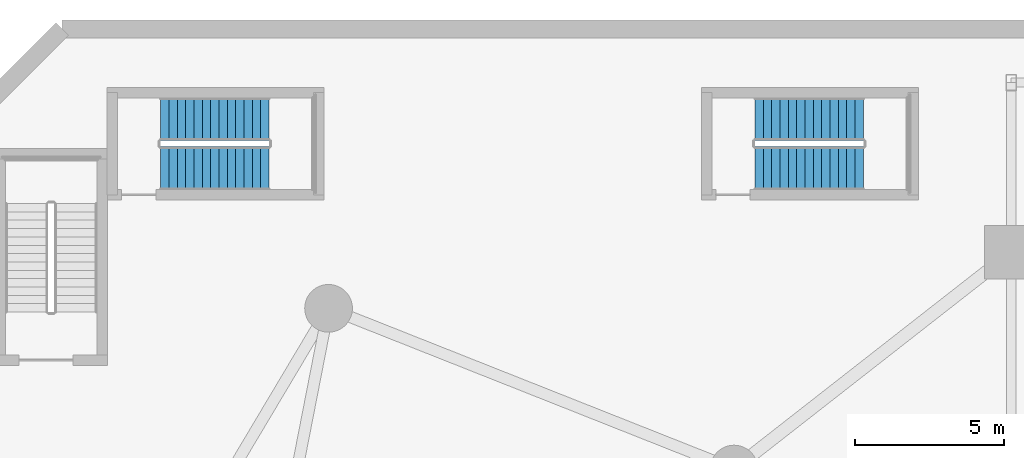
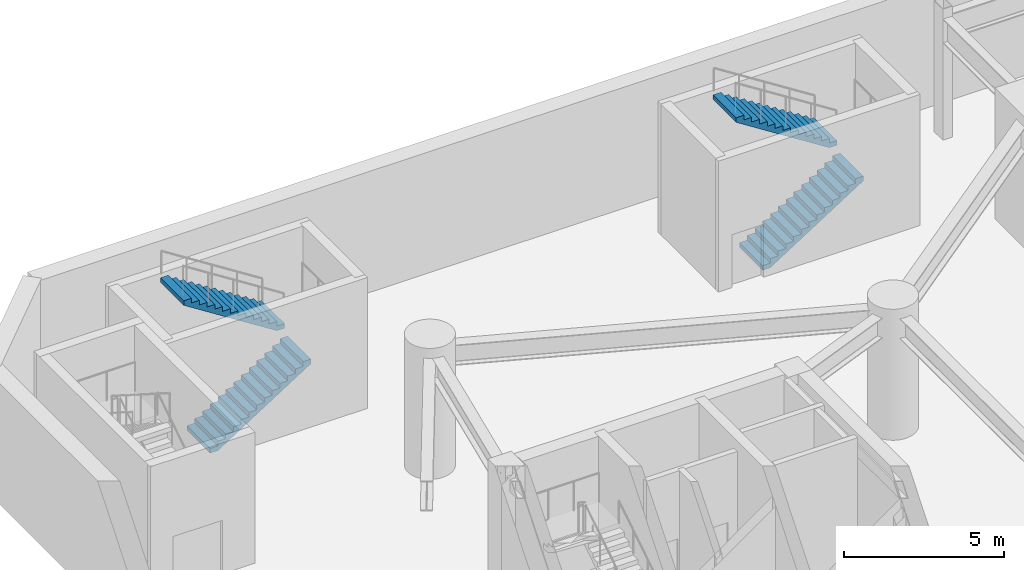
# One storey, part 9 of 14: 4 stair flights, 2 elements without a shape of their own.
"""IFC4 building model written with IfcOpenShell, lengths in metres."""

from ifc_helpers import new_model, si_unit, direction, frame, origin, place, context, subcontext, project, spatial, polyline, outline, extrude, material, type_object, element, aggregate, save


model = new_model("IFC4")

# Units and contexts
model_context = context("Model", 3, precision=1e-05, world=origin(), true_north=direction((0.0, 1.0)))
body_context = subcontext(model_context, "Body", "Model", "MODEL_VIEW")
ifc_project = project(units=[si_unit("LENGTHUNIT", "METRE"), si_unit("AREAUNIT", "SQUARE_METRE"), si_unit("VOLUMEUNIT", "CUBIC_METRE"), si_unit("PLANEANGLEUNIT", "RADIAN"), si_unit("MASSUNIT", "GRAM", prefix="KILO")], contexts=[model_context])

# Site, building, storey
site_placement = place(None, origin())
site = spatial("IfcSite", under=ifc_project, at=site_placement, CompositionType="ELEMENT")
building_placement = place(site_placement, origin())
building = spatial("IfcBuilding", under=site, at=building_placement, Name="Cununo Teusaquillo Station Towers", CompositionType="ELEMENT")
storey_placement = place(building_placement, frame((0.0, 0.0, -5.0)))
storey = spatial("IfcBuildingStorey", under=building, at=storey_placement, Name="B01", CompositionType="ELEMENT", Elevation=-5.0)

# Stair, stair flights
ifc_material_1 = material(Name="Concrete C50/60", Category="concrete")
stair_type = type_object("IfcStairType", Name="ST-POD-1450", PredefinedType="HALF_TURN_STAIR", material=ifc_material_1)
stair_1_placement = place(storey_placement, origin())
stair_1 = element("IfcStair", 1, at=stair_1_placement, inside=storey, type_object=stair_type, Name="B01 Station Podium North Protected Exit Stair", PredefinedType="HALF_TURN_STAIR")
ifc_material_2 = material(Name="Concrete C50/60", Category="concrete")
stair_flight_type = type_object("IfcStairFlightType", Name="SFL-POD-1450", PredefinedType="STRAIGHT", material=ifc_material_2)
stair_flight_1_placement = place(storey_placement, frame((27.050048828125, 43.324951171875, 0.0), z_axis=(0.0, 0.0, 1.0), x_axis=(1.0, 0.0, 0.0)))
stair_flight_1 = element("IfcStairFlight", 2, at=stair_flight_1_placement, type_object=stair_flight_type, Name="ST-POD-N flight 1", NumberOfRisers=14, NumberOfTreads=13, PredefinedType="STRAIGHT", RiserHeight=0.178571429, TreadLength=0.28, context=body_context, shape_type="SweptSolid", body=[
    extrude(outline(polyline([(0.0, 0.0), (0.0, 0.178466796875), (0.280029296875, 0.178466796875), (0.280029296875, 0.357177734375), (0.56005859375, 0.357177734375), (0.56005859375, 0.53564453125), (0.840087890625, 0.53564453125), (0.840087890625, 0.71435546875), (1.1201171875, 0.71435546875), (1.1201171875, 0.892822265625), (1.39990234375, 0.892822265625), (1.39990234375, 1.071533203125), (1.679931640625, 1.071533203125), (1.679931640625, 1.25), (1.9599609375, 1.25), (1.9599609375, 1.428466796875), (2.239990234375, 1.428466796875), (2.239990234375, 1.607177734375), (2.52001953125, 1.607177734375), (2.52001953125, 1.78564453125), (2.800048828125, 1.78564453125), (2.800048828125, 1.96435546875), (3.080078125, 1.96435546875), (3.080078125, 2.142822265625), (3.360107421875, 2.142822265625), (3.360107421875, 2.321533203125), (3.639892578125, 2.321533203125), (3.639892578125, 2.5), (3.639892578125, 2.1435546875), (0.27880859375, 0.0), (0.0, 0.0)])), frame((0.0, 0.72509765625, 0.0), z_axis=(0.0, -1.0, 0.0), x_axis=(1.0, 0.0, 0.0)), (0.0, 0.0, 1.0), 1.449951171875),
])
stair_flight_2_placement = place(storey_placement, frame((30.68994140625, 44.97509765625, 2.5), z_axis=(0.0, 0.0, 1.0), x_axis=(-1.0, 0.0, 0.0)))
stair_flight_2 = element("IfcStairFlight", 3, at=stair_flight_2_placement, type_object=stair_flight_type, Name="ST-POD-N flight 2", NumberOfRisers=14, NumberOfTreads=13, PredefinedType="STRAIGHT", RiserHeight=0.178571429, TreadLength=0.28, context=body_context, shape_type="SweptSolid", body=[
    extrude(outline(polyline([(0.0, 0.0), (0.0, 0.178466796875), (0.280029296875, 0.178466796875), (0.280029296875, 0.357177734375), (0.56005859375, 0.357177734375), (0.56005859375, 0.53564453125), (0.840087890625, 0.53564453125), (0.840087890625, 0.71435546875), (1.1201171875, 0.71435546875), (1.1201171875, 0.892822265625), (1.39990234375, 0.892822265625), (1.39990234375, 1.071533203125), (1.679931640625, 1.071533203125), (1.679931640625, 1.25), (1.9599609375, 1.25), (1.9599609375, 1.428466796875), (2.239990234375, 1.428466796875), (2.239990234375, 1.607177734375), (2.52001953125, 1.607177734375), (2.52001953125, 1.78564453125), (2.800048828125, 1.78564453125), (2.800048828125, 1.96435546875), (3.080078125, 1.96435546875), (3.080078125, 2.142822265625), (3.360107421875, 2.142822265625), (3.360107421875, 2.321533203125), (3.639892578125, 2.321533203125), (3.639892578125, 2.5), (3.639892578125, 2.1435546875), (0.27880859375, 0.0), (0.0, 0.0)])), frame((0.0, 0.72509765625, 0.0), z_axis=(0.0, -1.0, 0.0), x_axis=(1.0, 0.0, 0.0)), (0.0, 0.0, 1.0), 1.449951171875),
])
aggregate(stair_1, [stair_flight_1, stair_flight_2])

stair_2_placement = place(storey_placement, origin())
stair_2 = element("IfcStair", 4, at=stair_2_placement, inside=storey, type_object=stair_type, Name="B01 Station Podium North-West Protected Exit Stair", PredefinedType="HALF_TURN_STAIR")
stair_flight_3_placement = place(storey_placement, frame((7.10009765625, 43.324951171875, 0.0), z_axis=(0.0, 0.0, 1.0), x_axis=(1.0, 0.0, 0.0)))
stair_flight_3 = element("IfcStairFlight", 5, at=stair_flight_3_placement, type_object=stair_flight_type, Name="ST-POD-C flight 1", NumberOfRisers=14, NumberOfTreads=13, PredefinedType="STRAIGHT", RiserHeight=0.178571429, TreadLength=0.28, context=body_context, shape_type="SweptSolid", body=[
    extrude(outline(polyline([(0.0, 0.0), (0.0, 0.178466796875), (0.280029296875, 0.178466796875), (0.280029296875, 0.357177734375), (0.56005859375, 0.357177734375), (0.56005859375, 0.53564453125), (0.840087890625, 0.53564453125), (0.840087890625, 0.71435546875), (1.1201171875, 0.71435546875), (1.1201171875, 0.892822265625), (1.39990234375, 0.892822265625), (1.39990234375, 1.071533203125), (1.679931640625, 1.071533203125), (1.679931640625, 1.25), (1.9599609375, 1.25), (1.9599609375, 1.428466796875), (2.239990234375, 1.428466796875), (2.239990234375, 1.607177734375), (2.52001953125, 1.607177734375), (2.52001953125, 1.78564453125), (2.800048828125, 1.78564453125), (2.800048828125, 1.96435546875), (3.080078125, 1.96435546875), (3.080078125, 2.142822265625), (3.360107421875, 2.142822265625), (3.360107421875, 2.321533203125), (3.639892578125, 2.321533203125), (3.639892578125, 2.5), (3.639892578125, 2.1435546875), (0.27880859375, 0.0), (0.0, 0.0)])), frame((0.0, 0.72509765625, 0.0), z_axis=(0.0, -1.0, 0.0), x_axis=(1.0, 0.0, 0.0)), (0.0, 0.0, 1.0), 1.449951171875),
])
stair_flight_4_placement = place(storey_placement, frame((10.739990234375, 44.97509765625, 2.5), z_axis=(0.0, 0.0, 1.0), x_axis=(-1.0, 0.0, 0.0)))
stair_flight_4 = element("IfcStairFlight", 6, at=stair_flight_4_placement, type_object=stair_flight_type, Name="ST-POD-C flight 2", NumberOfRisers=14, NumberOfTreads=13, PredefinedType="STRAIGHT", RiserHeight=0.178571429, TreadLength=0.28, context=body_context, shape_type="SweptSolid", body=[
    extrude(outline(polyline([(0.0, 0.0), (0.0, 0.178466796875), (0.280029296875, 0.178466796875), (0.280029296875, 0.357177734375), (0.56005859375, 0.357177734375), (0.56005859375, 0.53564453125), (0.840087890625, 0.53564453125), (0.840087890625, 0.71435546875), (1.1201171875, 0.71435546875), (1.1201171875, 0.892822265625), (1.39990234375, 0.892822265625), (1.39990234375, 1.071533203125), (1.679931640625, 1.071533203125), (1.679931640625, 1.25), (1.9599609375, 1.25), (1.9599609375, 1.428466796875), (2.239990234375, 1.428466796875), (2.239990234375, 1.607177734375), (2.52001953125, 1.607177734375), (2.52001953125, 1.78564453125), (2.800048828125, 1.78564453125), (2.800048828125, 1.96435546875), (3.080078125, 1.96435546875), (3.080078125, 2.142822265625), (3.360107421875, 2.142822265625), (3.360107421875, 2.321533203125), (3.639892578125, 2.321533203125), (3.639892578125, 2.5), (3.639892578125, 2.1435546875), (0.27880859375, 0.0), (0.0, 0.0)])), frame((0.0, 0.72509765625, 0.0), z_axis=(0.0, -1.0, 0.0), x_axis=(1.0, 0.0, 0.0)), (0.0, 0.0, 1.0), 1.449951171875),
])
aggregate(stair_2, [stair_flight_3, stair_flight_4])

save(model, "model.ifc")
